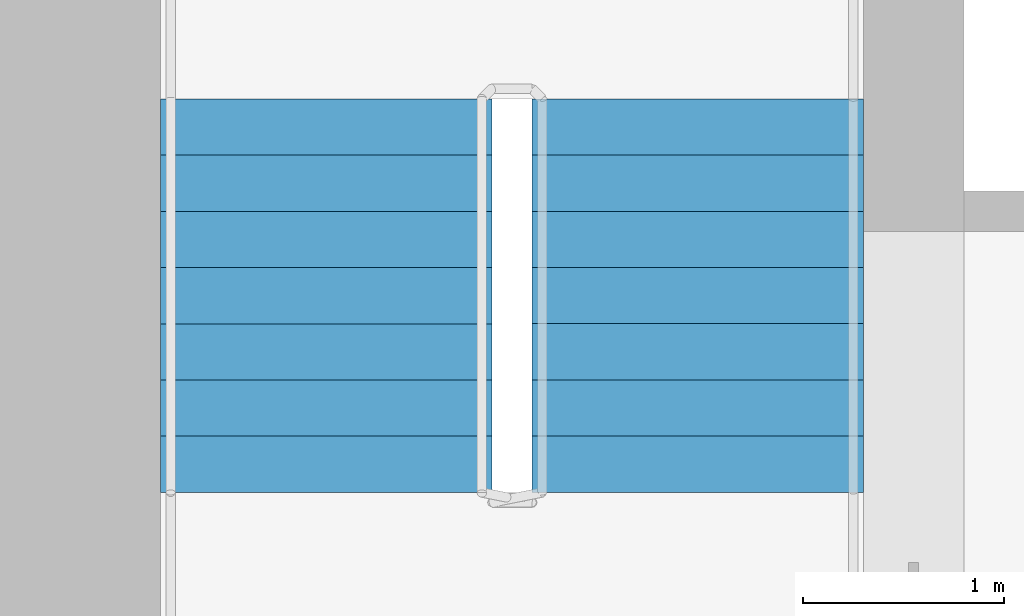
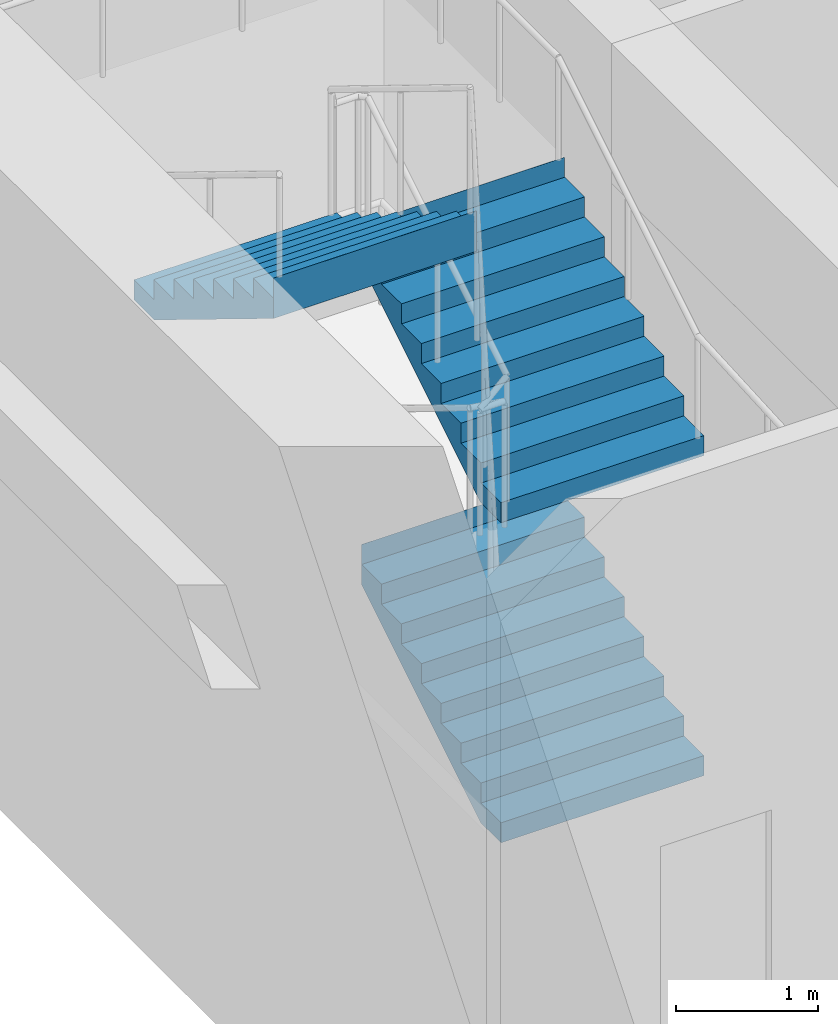
# One storey, part 8 of 10: 3 stair flights, 1 element without a shape of its own.
"""IFC4 building model written with IfcOpenShell, lengths in metres."""

from ifc_helpers import new_model, si_unit, direction, frame, origin, place, context, subcontext, project, spatial, polyline, outline, extrude, material, type_object, element, aggregate, save


model = new_model("IFC4")

# Units and contexts
model_context = context("Model", 3, precision=1e-05, world=origin(), true_north=direction((0.0, 1.0)))
body_context = subcontext(model_context, "Body", "Model", "MODEL_VIEW")
ifc_project = project(units=[si_unit("LENGTHUNIT", "METRE"), si_unit("AREAUNIT", "SQUARE_METRE"), si_unit("VOLUMEUNIT", "CUBIC_METRE"), si_unit("PLANEANGLEUNIT", "RADIAN"), si_unit("MASSUNIT", "GRAM", prefix="KILO")], contexts=[model_context])

# Site, building, storey
site_placement = place(None, origin())
site = spatial("IfcSite", under=ifc_project, at=site_placement, CompositionType="ELEMENT")
building_placement = place(site_placement, origin())
building = spatial("IfcBuilding", under=site, at=building_placement, Name="Tamorin Gate", CompositionType="ELEMENT")
storey_placement = place(building_placement, frame((0.0, 0.0, 118.699951171875)))
storey = spatial("IfcBuildingStorey", under=building, at=storey_placement, Name="L29", CompositionType="ELEMENT", Elevation=118.699951171875)

# Stair, stair flights
ifc_material = material(Name="Concrete C40/50", Category="concrete")
stair_type = type_object("IfcStairType", Name="Exit stair", PredefinedType="HALF_TURN_STAIR", material=ifc_material)
stair_placement = place(storey_placement, origin())
stair = element("IfcStair", 1, at=stair_placement, inside=storey, type_object=stair_type, Name="L29 stair ST2", PredefinedType="HALF_TURN_STAIR")
stair_flight_type = type_object("IfcStairFlightType", Name="Exit stair flight", PredefinedType="STRAIGHT", material=ifc_material)
stair_flight_1_placement = place(storey_placement, frame((33.675048828125, 77.0, 0.0), z_axis=(0.0, 0.0, 1.0), x_axis=(0.0, 1.0, 0.0)))
stair_flight_1 = element("IfcStairFlight", 2, at=stair_flight_1_placement, type_object=stair_flight_type, Name="ST2 flight 1", NumberOfRisers=8, NumberOfTreads=7, PredefinedType="STRAIGHT", RiserHeight=0.171875, TreadLength=0.28, context=body_context, shape_type="SweptSolid", body=[
    extrude(outline(polyline([(-0.00048828125, 0.0), (-0.00048828125, 0.001708984375), (-0.00048828125, 0.00341796875), (-0.00048828125, 0.005126953125), (-0.00048828125, 0.0068359375), (-0.00048828125, 0.008544921875), (-0.00048828125, 0.01025390625), (-0.00048828125, 0.011962890625), (-0.00048828125, 0.013671875), (-0.00048828125, 0.015380859375), (-0.00048828125, 0.01708984375), (-0.00048828125, 0.018798828125), (-0.00048828125, 0.0205078125), (-0.00048828125, 0.022216796875), (-0.00048828125, 0.02392578125), (-0.00048828125, 0.025634765625), (-0.00048828125, 0.02734375), (-0.00048828125, 0.02880859375), (-0.00048828125, 0.030517578125), (-0.00048828125, 0.0322265625), (-0.00048828125, 0.033935546875), (-0.00048828125, 0.03564453125), (-0.00048828125, 0.037353515625), (-0.00048828125, 0.0390625), (-0.00048828125, 0.040771484375), (-0.00048828125, 0.04248046875), (-0.00048828125, 0.044189453125), (-0.00048828125, 0.0458984375), (-0.00048828125, 0.047607421875), (-0.00048828125, 0.04931640625), (-0.00048828125, 0.051025390625), (-0.00048828125, 0.052734375), (-0.00048828125, 0.054443359375), (-0.00048828125, 0.05615234375), (-0.00048828125, 0.057861328125), (-0.00048828125, 0.0595703125), (-0.00048828125, 0.061279296875), (-0.00048828125, 0.06298828125), (-0.00048828125, 0.064697265625), (-0.00048828125, 0.06640625), (-0.00048828125, 0.068115234375), (-0.00048828125, 0.06982421875), (-0.00048828125, 0.071533203125), (-0.00048828125, 0.0732421875), (-0.00048828125, 0.074951171875), (-0.00048828125, 0.07666015625), (-0.00048828125, 0.078369140625), (-0.00048828125, 0.080078125), (-0.00048828125, 0.081787109375), (-0.00048828125, 0.08349609375), (-0.00048828125, 0.085205078125), (-0.00048828125, 0.086669921875), (-0.00048828125, 0.08837890625), (-0.00048828125, 0.090087890625), (-0.00048828125, 0.091796875), (-0.00048828125, 0.093505859375), (-0.00048828125, 0.09521484375), (-0.00048828125, 0.096923828125), (-0.00048828125, 0.0986328125), (-0.00048828125, 0.100341796875), (-0.00048828125, 0.10205078125), (-0.00048828125, 0.103759765625), (-0.00048828125, 0.10546875), (-0.00048828125, 0.107177734375), (-0.00048828125, 0.10888671875), (-0.00048828125, 0.110595703125), (-0.00048828125, 0.1123046875), (-0.00048828125, 0.114013671875), (-0.00048828125, 0.11572265625), (-0.00048828125, 0.117431640625), (-0.00048828125, 0.119140625), (-0.00048828125, 0.120849609375), (-0.00048828125, 0.12255859375), (-0.00048828125, 0.124267578125), (-0.00048828125, 0.1259765625), (-0.00048828125, 0.127685546875), (-0.00048828125, 0.12939453125), (-0.00048828125, 0.131103515625), (-0.00048828125, 0.1328125), (-0.00048828125, 0.134521484375), (-0.00048828125, 0.13623046875), (-0.00048828125, 0.137939453125), (-0.00048828125, 0.1396484375), (-0.00048828125, 0.141357421875), (-0.00048828125, 0.14306640625), (-0.00048828125, 0.14453125), (-0.00048828125, 0.146240234375), (-0.00048828125, 0.14794921875), (-0.00048828125, 0.149658203125), (-0.00048828125, 0.1513671875), (-0.00048828125, 0.153076171875), (-0.00048828125, 0.15478515625), (-0.00048828125, 0.156494140625), (-0.00048828125, 0.158203125), (-0.00048828125, 0.159912109375), (-0.00048828125, 0.16162109375), (-0.00048828125, 0.163330078125), (-0.00048828125, 0.1650390625), (-0.00048828125, 0.166748046875), (-0.00048828125, 0.16845703125), (-0.00048828125, 0.170166015625), (-0.00048828125, 0.171875), (0.280029296875, 0.171875), (0.280029296875, 0.34375), (0.56005859375, 0.34375), (0.56005859375, 0.515625), (0.840087890625, 0.515625), (0.840087890625, 0.6875), (1.1201171875, 0.6875), (1.1201171875, 0.859375), (1.39990234375, 0.859375), (1.39990234375, 1.03125), (1.679931640625, 1.03125), (1.679931640625, 1.203125), (1.9599609375, 1.203125), (1.9599609375, 1.375), (1.96044921875, 1.375), (1.96044921875, 1.37158203125), (1.96044921875, 1.3681640625), (1.96044921875, 1.36474609375), (1.96044921875, 1.361328125), (1.96044921875, 1.357666015625), (1.96044921875, 1.354248046875), (1.96044921875, 1.350830078125), (1.96044921875, 1.347412109375), (1.96044921875, 1.343994140625), (1.96044921875, 1.340576171875), (1.96044921875, 1.337158203125), (1.96044921875, 1.333740234375), (1.96044921875, 1.330322265625), (1.96044921875, 1.326904296875), (1.96044921875, 1.3232421875), (1.96044921875, 1.31982421875), (1.96044921875, 1.31640625), (1.96044921875, 1.31298828125), (1.96044921875, 1.3095703125), (1.96044921875, 1.30615234375), (1.96044921875, 1.302734375), (1.96044921875, 1.29931640625), (1.96044921875, 1.2958984375), (1.96044921875, 1.29248046875), (1.96044921875, 1.288818359375), (1.96044921875, 1.285400390625), (1.96044921875, 1.281982421875), (1.96044921875, 1.278564453125), (1.96044921875, 1.275146484375), (1.96044921875, 1.271728515625), (1.96044921875, 1.268310546875), (1.96044921875, 1.264892578125), (1.96044921875, 1.261474609375), (1.96044921875, 1.2578125), (1.96044921875, 1.25439453125), (1.96044921875, 1.2509765625), (1.96044921875, 1.24755859375), (1.96044921875, 1.244140625), (1.96044921875, 1.24072265625), (1.96044921875, 1.2373046875), (1.96044921875, 1.23388671875), (1.96044921875, 1.23046875), (1.96044921875, 1.22705078125), (1.96044921875, 1.223388671875), (1.96044921875, 1.219970703125), (1.96044921875, 1.216552734375), (1.96044921875, 1.213134765625), (1.96044921875, 1.209716796875), (1.96044921875, 1.206298828125), (1.96044921875, 1.202880859375), (1.96044921875, 1.199462890625), (1.96044921875, 1.196044921875), (1.96044921875, 1.192626953125), (1.96044921875, 1.18896484375), (1.96044921875, 1.185546875), (1.96044921875, 1.18212890625), (1.96044921875, 1.1787109375), (1.96044921875, 1.17529296875), (1.96044921875, 1.171875), (1.96044921875, 1.16845703125), (1.96044921875, 1.1650390625), (1.96044921875, 1.16162109375), (1.96044921875, 1.157958984375), (1.96044921875, 1.154541015625), (1.96044921875, 1.151123046875), (1.96044921875, 1.147705078125), (1.96044921875, 1.144287109375), (1.96044921875, 1.140869140625), (1.96044921875, 1.137451171875), (1.96044921875, 1.134033203125), (1.96044921875, 1.130615234375), (1.96044921875, 1.127197265625), (1.96044921875, 1.12353515625), (1.96044921875, 1.1201171875), (1.96044921875, 1.11669921875), (1.96044921875, 1.11328125), (1.96044921875, 1.10986328125), (1.96044921875, 1.1064453125), (1.96044921875, 1.10302734375), (1.96044921875, 1.099609375), (1.96044921875, 1.09619140625), (1.96044921875, 1.0927734375), (1.96044921875, 1.089111328125), (1.96044921875, 1.085693359375), (1.96044921875, 1.082275390625), (1.96044921875, 1.078857421875), (1.96044921875, 1.075439453125), (1.96044921875, 1.072021484375), (1.96044921875, 1.068603515625), (1.96044921875, 1.065185546875), (1.96044921875, 1.061767578125), (1.96044921875, 1.05810546875), (1.96044921875, 1.0546875), (1.96044921875, 1.05126953125), (1.96044921875, 1.0478515625), (1.96044921875, 1.04443359375), (1.96044921875, 1.041015625), (1.96044921875, 1.03759765625), (1.96044921875, 1.0341796875), (1.96044921875, 1.03076171875), (1.96044921875, 1.02734375), (1.9599609375, 1.02734375), (0.28662109375, 0.0), (-0.00048828125, 0.0)])), frame((0.0, 0.824951171875, 0.0), z_axis=(0.0, -1.0, 0.0), x_axis=(1.0, 0.0, 0.0)), (0.0, 0.0, 1.0), 1.64990234375),
])
stair_flight_2_placement = place(storey_placement, frame((33.675048828125, 77.0, 2.75), z_axis=(0.0, 0.0, 1.0), x_axis=(0.0, 1.0, 0.0)))
stair_flight_2 = element("IfcStairFlight", 3, at=stair_flight_2_placement, type_object=stair_flight_type, Name="ST2 flight 3", NumberOfRisers=8, NumberOfTreads=7, PredefinedType="STRAIGHT", RiserHeight=0.171875, TreadLength=0.28, context=body_context, shape_type="SweptSolid", body=[
    extrude(outline(polyline([(-0.00048828125, 0.0), (-0.00048828125, 0.001708984375), (-0.00048828125, 0.00341796875), (-0.00048828125, 0.005126953125), (-0.00048828125, 0.0068359375), (-0.00048828125, 0.008544921875), (-0.00048828125, 0.01025390625), (-0.00048828125, 0.011962890625), (-0.00048828125, 0.013671875), (-0.00048828125, 0.015380859375), (-0.00048828125, 0.01708984375), (-0.00048828125, 0.018798828125), (-0.00048828125, 0.0205078125), (-0.00048828125, 0.022216796875), (-0.00048828125, 0.02392578125), (-0.00048828125, 0.025634765625), (-0.00048828125, 0.02734375), (-0.00048828125, 0.02880859375), (-0.00048828125, 0.030517578125), (-0.00048828125, 0.0322265625), (-0.00048828125, 0.033935546875), (-0.00048828125, 0.03564453125), (-0.00048828125, 0.037353515625), (-0.00048828125, 0.0390625), (-0.00048828125, 0.040771484375), (-0.00048828125, 0.04248046875), (-0.00048828125, 0.044189453125), (-0.00048828125, 0.0458984375), (-0.00048828125, 0.047607421875), (-0.00048828125, 0.04931640625), (-0.00048828125, 0.051025390625), (-0.00048828125, 0.052734375), (-0.00048828125, 0.054443359375), (-0.00048828125, 0.05615234375), (-0.00048828125, 0.057861328125), (-0.00048828125, 0.0595703125), (-0.00048828125, 0.061279296875), (-0.00048828125, 0.06298828125), (-0.00048828125, 0.064697265625), (-0.00048828125, 0.06640625), (-0.00048828125, 0.068115234375), (-0.00048828125, 0.06982421875), (-0.00048828125, 0.071533203125), (-0.00048828125, 0.0732421875), (-0.00048828125, 0.074951171875), (-0.00048828125, 0.07666015625), (-0.00048828125, 0.078369140625), (-0.00048828125, 0.080078125), (-0.00048828125, 0.081787109375), (-0.00048828125, 0.08349609375), (-0.00048828125, 0.085205078125), (-0.00048828125, 0.086669921875), (-0.00048828125, 0.08837890625), (-0.00048828125, 0.090087890625), (-0.00048828125, 0.091796875), (-0.00048828125, 0.093505859375), (-0.00048828125, 0.09521484375), (-0.00048828125, 0.096923828125), (-0.00048828125, 0.0986328125), (-0.00048828125, 0.100341796875), (-0.00048828125, 0.10205078125), (-0.00048828125, 0.103759765625), (-0.00048828125, 0.10546875), (-0.00048828125, 0.107177734375), (-0.00048828125, 0.10888671875), (-0.00048828125, 0.110595703125), (-0.00048828125, 0.1123046875), (-0.00048828125, 0.114013671875), (-0.00048828125, 0.11572265625), (-0.00048828125, 0.117431640625), (-0.00048828125, 0.119140625), (-0.00048828125, 0.120849609375), (-0.00048828125, 0.12255859375), (-0.00048828125, 0.124267578125), (-0.00048828125, 0.1259765625), (-0.00048828125, 0.127685546875), (-0.00048828125, 0.12939453125), (-0.00048828125, 0.131103515625), (-0.00048828125, 0.1328125), (-0.00048828125, 0.134521484375), (-0.00048828125, 0.13623046875), (-0.00048828125, 0.137939453125), (-0.00048828125, 0.1396484375), (-0.00048828125, 0.141357421875), (-0.00048828125, 0.14306640625), (-0.00048828125, 0.14453125), (-0.00048828125, 0.146240234375), (-0.00048828125, 0.14794921875), (-0.00048828125, 0.149658203125), (-0.00048828125, 0.1513671875), (-0.00048828125, 0.153076171875), (-0.00048828125, 0.15478515625), (-0.00048828125, 0.156494140625), (-0.00048828125, 0.158203125), (-0.00048828125, 0.159912109375), (-0.00048828125, 0.16162109375), (-0.00048828125, 0.163330078125), (-0.00048828125, 0.1650390625), (-0.00048828125, 0.166748046875), (-0.00048828125, 0.16845703125), (-0.00048828125, 0.170166015625), (-0.00048828125, 0.171875), (0.280029296875, 0.171875), (0.280029296875, 0.34375), (0.56005859375, 0.34375), (0.56005859375, 0.515625), (0.840087890625, 0.515625), (0.840087890625, 0.6875), (1.1201171875, 0.6875), (1.1201171875, 0.859375), (1.39990234375, 0.859375), (1.39990234375, 1.03125), (1.679931640625, 1.03125), (1.679931640625, 1.203125), (1.9599609375, 1.203125), (1.9599609375, 1.375), (1.96044921875, 1.375), (1.96044921875, 1.37158203125), (1.96044921875, 1.3681640625), (1.96044921875, 1.36474609375), (1.96044921875, 1.361328125), (1.96044921875, 1.357666015625), (1.96044921875, 1.354248046875), (1.96044921875, 1.350830078125), (1.96044921875, 1.347412109375), (1.96044921875, 1.343994140625), (1.96044921875, 1.340576171875), (1.96044921875, 1.337158203125), (1.96044921875, 1.333740234375), (1.96044921875, 1.330322265625), (1.96044921875, 1.326904296875), (1.96044921875, 1.3232421875), (1.96044921875, 1.31982421875), (1.96044921875, 1.31640625), (1.96044921875, 1.31298828125), (1.96044921875, 1.3095703125), (1.96044921875, 1.30615234375), (1.96044921875, 1.302734375), (1.96044921875, 1.29931640625), (1.96044921875, 1.2958984375), (1.96044921875, 1.29248046875), (1.96044921875, 1.288818359375), (1.96044921875, 1.285400390625), (1.96044921875, 1.281982421875), (1.96044921875, 1.278564453125), (1.96044921875, 1.275146484375), (1.96044921875, 1.271728515625), (1.96044921875, 1.268310546875), (1.96044921875, 1.264892578125), (1.96044921875, 1.261474609375), (1.96044921875, 1.2578125), (1.96044921875, 1.25439453125), (1.96044921875, 1.2509765625), (1.96044921875, 1.24755859375), (1.96044921875, 1.244140625), (1.96044921875, 1.24072265625), (1.96044921875, 1.2373046875), (1.96044921875, 1.23388671875), (1.96044921875, 1.23046875), (1.96044921875, 1.22705078125), (1.96044921875, 1.223388671875), (1.96044921875, 1.219970703125), (1.96044921875, 1.216552734375), (1.96044921875, 1.213134765625), (1.96044921875, 1.209716796875), (1.96044921875, 1.206298828125), (1.96044921875, 1.202880859375), (1.96044921875, 1.199462890625), (1.96044921875, 1.196044921875), (1.96044921875, 1.192626953125), (1.96044921875, 1.18896484375), (1.96044921875, 1.185546875), (1.96044921875, 1.18212890625), (1.96044921875, 1.1787109375), (1.96044921875, 1.17529296875), (1.96044921875, 1.171875), (1.96044921875, 1.16845703125), (1.96044921875, 1.1650390625), (1.96044921875, 1.16162109375), (1.96044921875, 1.157958984375), (1.96044921875, 1.154541015625), (1.96044921875, 1.151123046875), (1.96044921875, 1.147705078125), (1.96044921875, 1.144287109375), (1.96044921875, 1.140869140625), (1.96044921875, 1.137451171875), (1.96044921875, 1.134033203125), (1.96044921875, 1.130615234375), (1.96044921875, 1.127197265625), (1.96044921875, 1.12353515625), (1.96044921875, 1.1201171875), (1.96044921875, 1.11669921875), (1.96044921875, 1.11328125), (1.96044921875, 1.10986328125), (1.96044921875, 1.1064453125), (1.96044921875, 1.10302734375), (1.96044921875, 1.099609375), (1.96044921875, 1.09619140625), (1.96044921875, 1.0927734375), (1.96044921875, 1.089111328125), (1.96044921875, 1.085693359375), (1.96044921875, 1.082275390625), (1.96044921875, 1.078857421875), (1.96044921875, 1.075439453125), (1.96044921875, 1.072021484375), (1.96044921875, 1.068603515625), (1.96044921875, 1.065185546875), (1.96044921875, 1.061767578125), (1.96044921875, 1.05810546875), (1.96044921875, 1.0546875), (1.96044921875, 1.05126953125), (1.96044921875, 1.0478515625), (1.96044921875, 1.04443359375), (1.96044921875, 1.041015625), (1.96044921875, 1.03759765625), (1.96044921875, 1.0341796875), (1.96044921875, 1.03076171875), (1.96044921875, 1.02734375), (1.9599609375, 1.02734375), (0.28662109375, 0.0), (-0.00048828125, 0.0)])), frame((0.0, 0.824951171875, 0.0), z_axis=(0.0, -1.0, 0.0), x_axis=(1.0, 0.0, 0.0)), (0.0, 0.0, 1.0), 1.64990234375),
])
stair_flight_3_placement = place(storey_placement, frame((31.824951171875, 78.9599609375, 4.125), z_axis=(0.0, 0.0, 1.0), x_axis=(0.0, -1.0, 0.0)))
stair_flight_3 = element("IfcStairFlight", 4, at=stair_flight_3_placement, type_object=stair_flight_type, Name="ST2 flight 4", NumberOfRisers=8, NumberOfTreads=7, PredefinedType="STRAIGHT", RiserHeight=0.171875, TreadLength=0.28, context=body_context, shape_type="SweptSolid", body=[
    extrude(outline(polyline([(-0.00048828125, 0.0), (-0.00048828125, 0.001708984375), (-0.00048828125, 0.00341796875), (-0.00048828125, 0.005126953125), (-0.00048828125, 0.0068359375), (-0.00048828125, 0.008544921875), (-0.00048828125, 0.01025390625), (-0.00048828125, 0.011962890625), (-0.00048828125, 0.013671875), (-0.00048828125, 0.015380859375), (-0.00048828125, 0.01708984375), (-0.00048828125, 0.018798828125), (-0.00048828125, 0.0205078125), (-0.00048828125, 0.022216796875), (-0.00048828125, 0.02392578125), (-0.00048828125, 0.025634765625), (-0.00048828125, 0.02734375), (-0.00048828125, 0.02880859375), (-0.00048828125, 0.030517578125), (-0.00048828125, 0.0322265625), (-0.00048828125, 0.033935546875), (-0.00048828125, 0.03564453125), (-0.00048828125, 0.037353515625), (-0.00048828125, 0.0390625), (-0.00048828125, 0.040771484375), (-0.00048828125, 0.04248046875), (-0.00048828125, 0.044189453125), (-0.00048828125, 0.0458984375), (-0.00048828125, 0.047607421875), (-0.00048828125, 0.04931640625), (-0.00048828125, 0.051025390625), (-0.00048828125, 0.052734375), (-0.00048828125, 0.054443359375), (-0.00048828125, 0.05615234375), (-0.00048828125, 0.057861328125), (-0.00048828125, 0.0595703125), (-0.00048828125, 0.061279296875), (-0.00048828125, 0.06298828125), (-0.00048828125, 0.064697265625), (-0.00048828125, 0.06640625), (-0.00048828125, 0.068115234375), (-0.00048828125, 0.06982421875), (-0.00048828125, 0.071533203125), (-0.00048828125, 0.0732421875), (-0.00048828125, 0.074951171875), (-0.00048828125, 0.07666015625), (-0.00048828125, 0.078369140625), (-0.00048828125, 0.080078125), (-0.00048828125, 0.081787109375), (-0.00048828125, 0.08349609375), (-0.00048828125, 0.085205078125), (-0.00048828125, 0.086669921875), (-0.00048828125, 0.08837890625), (-0.00048828125, 0.090087890625), (-0.00048828125, 0.091796875), (-0.00048828125, 0.093505859375), (-0.00048828125, 0.09521484375), (-0.00048828125, 0.096923828125), (-0.00048828125, 0.0986328125), (-0.00048828125, 0.100341796875), (-0.00048828125, 0.10205078125), (-0.00048828125, 0.103759765625), (-0.00048828125, 0.10546875), (-0.00048828125, 0.107177734375), (-0.00048828125, 0.10888671875), (-0.00048828125, 0.110595703125), (-0.00048828125, 0.1123046875), (-0.00048828125, 0.114013671875), (-0.00048828125, 0.11572265625), (-0.00048828125, 0.117431640625), (-0.00048828125, 0.119140625), (-0.00048828125, 0.120849609375), (-0.00048828125, 0.12255859375), (-0.00048828125, 0.124267578125), (-0.00048828125, 0.1259765625), (-0.00048828125, 0.127685546875), (-0.00048828125, 0.12939453125), (-0.00048828125, 0.131103515625), (-0.00048828125, 0.1328125), (-0.00048828125, 0.134521484375), (-0.00048828125, 0.13623046875), (-0.00048828125, 0.137939453125), (-0.00048828125, 0.1396484375), (-0.00048828125, 0.141357421875), (-0.00048828125, 0.14306640625), (-0.00048828125, 0.14453125), (-0.00048828125, 0.146240234375), (-0.00048828125, 0.14794921875), (-0.00048828125, 0.149658203125), (-0.00048828125, 0.1513671875), (-0.00048828125, 0.153076171875), (-0.00048828125, 0.15478515625), (-0.00048828125, 0.156494140625), (-0.00048828125, 0.158203125), (-0.00048828125, 0.159912109375), (-0.00048828125, 0.16162109375), (-0.00048828125, 0.163330078125), (-0.00048828125, 0.1650390625), (-0.00048828125, 0.166748046875), (-0.00048828125, 0.16845703125), (-0.00048828125, 0.170166015625), (-0.00048828125, 0.171875), (0.280029296875, 0.171875), (0.280029296875, 0.34375), (0.56005859375, 0.34375), (0.56005859375, 0.515625), (0.840087890625, 0.515625), (0.840087890625, 0.6875), (1.1201171875, 0.6875), (1.1201171875, 0.859375), (1.39990234375, 0.859375), (1.39990234375, 1.03125), (1.679931640625, 1.03125), (1.679931640625, 1.203125), (1.9599609375, 1.203125), (1.9599609375, 1.375), (1.96044921875, 1.375), (1.96044921875, 1.37158203125), (1.96044921875, 1.3681640625), (1.96044921875, 1.36474609375), (1.96044921875, 1.361328125), (1.96044921875, 1.357666015625), (1.96044921875, 1.354248046875), (1.96044921875, 1.350830078125), (1.96044921875, 1.347412109375), (1.96044921875, 1.343994140625), (1.96044921875, 1.340576171875), (1.96044921875, 1.337158203125), (1.96044921875, 1.333740234375), (1.96044921875, 1.330322265625), (1.96044921875, 1.326904296875), (1.96044921875, 1.3232421875), (1.96044921875, 1.31982421875), (1.96044921875, 1.31640625), (1.96044921875, 1.31298828125), (1.96044921875, 1.3095703125), (1.96044921875, 1.30615234375), (1.96044921875, 1.302734375), (1.96044921875, 1.29931640625), (1.96044921875, 1.2958984375), (1.96044921875, 1.29248046875), (1.96044921875, 1.288818359375), (1.96044921875, 1.285400390625), (1.96044921875, 1.281982421875), (1.96044921875, 1.278564453125), (1.96044921875, 1.275146484375), (1.96044921875, 1.271728515625), (1.96044921875, 1.268310546875), (1.96044921875, 1.264892578125), (1.96044921875, 1.261474609375), (1.96044921875, 1.2578125), (1.96044921875, 1.25439453125), (1.96044921875, 1.2509765625), (1.96044921875, 1.24755859375), (1.96044921875, 1.244140625), (1.96044921875, 1.24072265625), (1.96044921875, 1.2373046875), (1.96044921875, 1.23388671875), (1.96044921875, 1.23046875), (1.96044921875, 1.22705078125), (1.96044921875, 1.223388671875), (1.96044921875, 1.219970703125), (1.96044921875, 1.216552734375), (1.96044921875, 1.213134765625), (1.96044921875, 1.209716796875), (1.96044921875, 1.206298828125), (1.96044921875, 1.202880859375), (1.96044921875, 1.199462890625), (1.96044921875, 1.196044921875), (1.96044921875, 1.192626953125), (1.96044921875, 1.18896484375), (1.96044921875, 1.185546875), (1.96044921875, 1.18212890625), (1.96044921875, 1.1787109375), (1.96044921875, 1.17529296875), (1.96044921875, 1.171875), (1.96044921875, 1.16845703125), (1.96044921875, 1.1650390625), (1.96044921875, 1.16162109375), (1.96044921875, 1.157958984375), (1.96044921875, 1.154541015625), (1.96044921875, 1.151123046875), (1.96044921875, 1.147705078125), (1.96044921875, 1.144287109375), (1.96044921875, 1.140869140625), (1.96044921875, 1.137451171875), (1.96044921875, 1.134033203125), (1.96044921875, 1.130615234375), (1.96044921875, 1.127197265625), (1.96044921875, 1.12353515625), (1.96044921875, 1.1201171875), (1.96044921875, 1.11669921875), (1.96044921875, 1.11328125), (1.96044921875, 1.10986328125), (1.96044921875, 1.1064453125), (1.96044921875, 1.10302734375), (1.96044921875, 1.099609375), (1.96044921875, 1.09619140625), (1.96044921875, 1.0927734375), (1.96044921875, 1.089111328125), (1.96044921875, 1.085693359375), (1.96044921875, 1.082275390625), (1.96044921875, 1.078857421875), (1.96044921875, 1.075439453125), (1.96044921875, 1.072021484375), (1.96044921875, 1.068603515625), (1.96044921875, 1.065185546875), (1.96044921875, 1.061767578125), (1.96044921875, 1.05810546875), (1.96044921875, 1.0546875), (1.96044921875, 1.05126953125), (1.96044921875, 1.0478515625), (1.96044921875, 1.04443359375), (1.96044921875, 1.041015625), (1.96044921875, 1.03759765625), (1.96044921875, 1.0341796875), (1.96044921875, 1.03076171875), (1.96044921875, 1.02734375), (1.9599609375, 1.02734375), (0.28662109375, 0.0), (-0.00048828125, 0.0)])), frame((0.0, 0.824951171875, 0.0), z_axis=(0.0, -1.0, 0.0), x_axis=(1.0, 0.0, 0.0)), (0.0, 0.0, 1.0), 1.64990234375),
])
aggregate(stair, [stair_flight_1, stair_flight_2, stair_flight_3])

save(model, "model.ifc")
